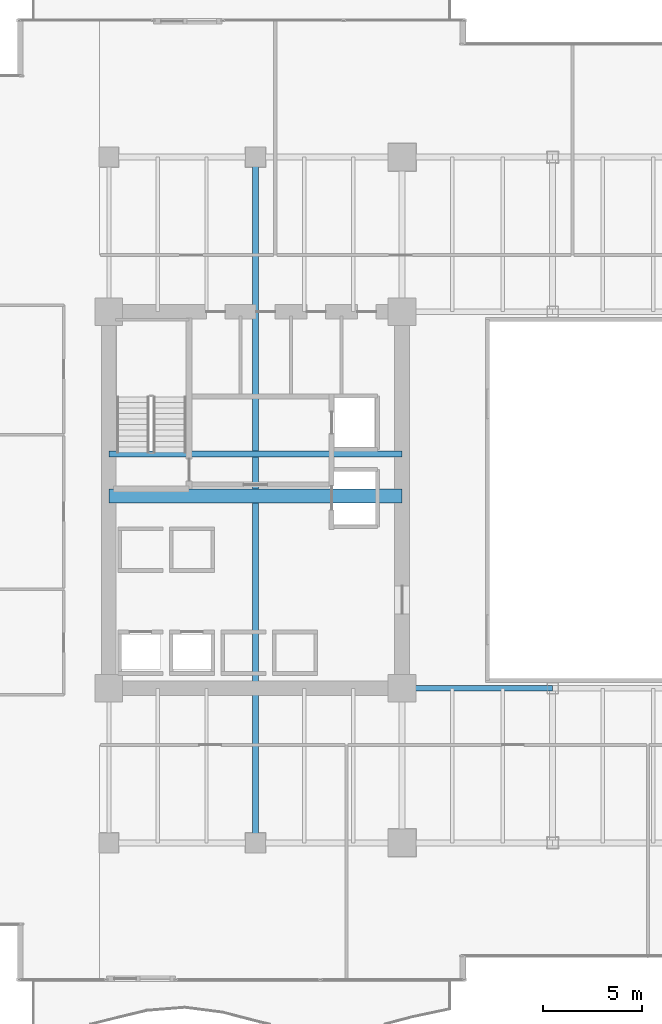
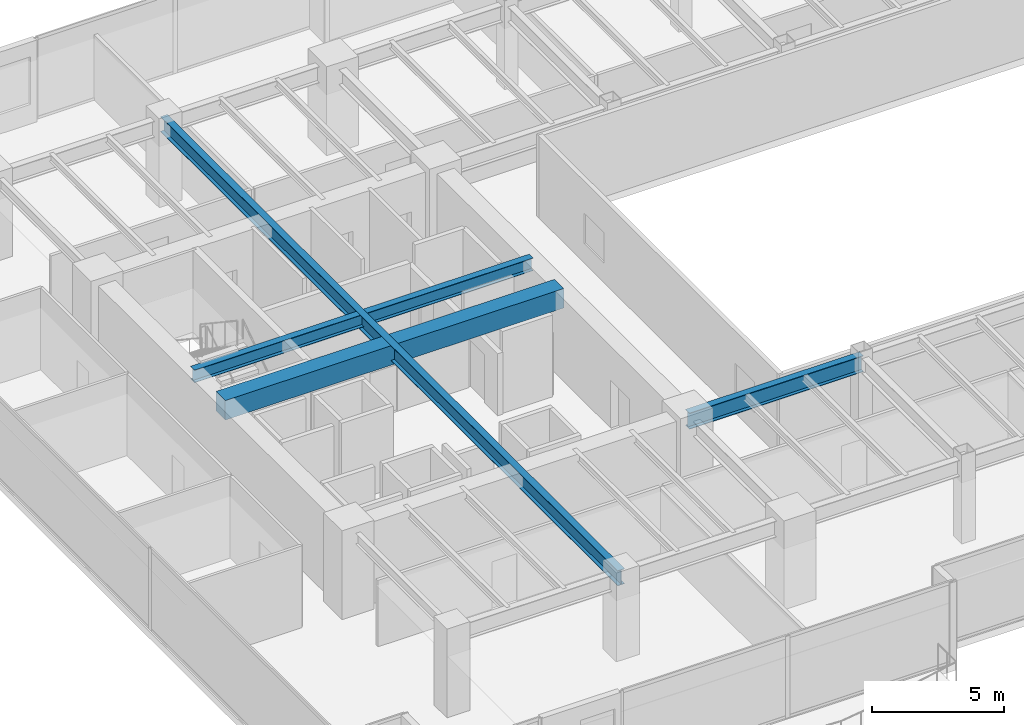
# One storey, part 7 of 32: 4 beams.
"""IFC4 building model written with IfcOpenShell, lengths in metres."""

import ifcopenshell
import ifcopenshell.guid

model = None  # the IFC model being written
_history = None  # IfcOwnerHistory: only IFC2X3 demands one
_inside = {}  # id of a spatial element -> (the spatial element, [elements in it])
_under = {}  # id of a project, library or spatial element -> (it, [spatial elements below it])
_declared = {}  # id of a project -> (the project, [libraries it declares])
_typed = {}  # id of a type object -> (the type object, [elements of that type])
_made_of = {}  # id of a material, layer set ... -> (it, [elements and type objects made of it])


def new_model(schema):
    """Start an empty IFC model of exactly this schema.

    Asked for "IFC4X3", IfcOpenShell would pick the latest addendum, in which some entities
    have other attributes; the version numbers below select the first issue.
    IFC2X3 requires an IfcOwnerHistory on every rooted entity: one is made here for all.
    """
    global model, _history
    if schema == "IFC4X3":
        model = ifcopenshell.file(schema_version=(4, 3, 0, 0))
    else:
        model = ifcopenshell.file(schema=schema)
    _inside.clear()
    _under.clear()
    _declared.clear()
    _typed.clear()
    _made_of.clear()
    _history = None
    if model.schema == "IFC2X3":
        org = make("IfcOrganization", Name="unknown")
        user = make(
            "IfcPersonAndOrganization",
            ThePerson=make("IfcPerson", FamilyName="unknown"),
            TheOrganization=org,
        )
        app = make(
            "IfcApplication",
            ApplicationDeveloper=org,
            Version="unknown",
            ApplicationFullName="unknown",
            ApplicationIdentifier="unknown",
        )
        _history = make(
            "IfcOwnerHistory",
            OwningUser=user,
            OwningApplication=app,
            ChangeAction="ADDED",
            CreationDate=0,
        )
    return model


def make(cls, **values):
    """One entity of the class cls with the attributes given. An attribute that is None is left unset."""
    return model.create_entity(
        cls, **{name: value for name, value in values.items() if value is not None}
    )


def rooted(cls, **values):
    """An entity with a GlobalId (a new one), such as an element, a storey or a relation."""
    return make(cls, GlobalId=ifcopenshell.guid.new(), OwnerHistory=_history, **values)


def si_unit(unit_type, name, prefix=None):
    """IfcSIUnit, for example si_unit("LENGTHUNIT", "METRE", prefix="MILLI")."""
    return make("IfcSIUnit", UnitType=unit_type, Prefix=prefix, Name=name)


def assignment(units):
    """IfcUnitAssignment: the units of a project."""
    return None if units is None else make("IfcUnitAssignment", Units=units)


def point(xyz):
    """IfcCartesianPoint."""
    return None if xyz is None else make("IfcCartesianPoint", Coordinates=xyz)


def direction(xyz):
    """IfcDirection."""
    return None if xyz is None else make("IfcDirection", DirectionRatios=xyz)


def frame(location, z_axis=None, x_axis=None):
    """IfcAxis2Placement3D, a coordinate frame: its origin and axes. An axis left out is left unset."""
    return make(
        "IfcAxis2Placement3D",
        Location=point(location),
        Axis=direction(z_axis),
        RefDirection=direction(x_axis),
    )


def frame_2d(location, x_axis=None):
    """IfcAxis2Placement2D, a coordinate frame in the plane: its origin and x axis."""
    return make(
        "IfcAxis2Placement2D", Location=point(location), RefDirection=direction(x_axis)
    )


def origin():
    """The frame at (0, 0, 0) with its axes left unset."""
    return frame((0.0, 0.0, 0.0))


def origin_2d():
    """The frame at (0, 0) in the plane with its x axis left unset."""
    return frame_2d((0.0, 0.0))


def place(relative_to, where):
    """IfcLocalPlacement: puts the frame where relative to a parent placement (None: the world)."""
    return make(
        "IfcLocalPlacement", PlacementRelTo=relative_to, RelativePlacement=where
    )


def context(
    kind, dimensions, precision=None, world=None, true_north=None, identifier=None
):
    """IfcGeometricRepresentationContext, for example the 3D "Model" context."""
    return make(
        "IfcGeometricRepresentationContext",
        ContextIdentifier=identifier,
        ContextType=kind,
        CoordinateSpaceDimension=dimensions,
        Precision=precision,
        WorldCoordinateSystem=world,
        TrueNorth=true_north,
    )


def subcontext(parent, identifier, kind, view, scale=None):
    """IfcGeometricRepresentationSubContext, for example "Body" below "Model"."""
    return make(
        "IfcGeometricRepresentationSubContext",
        ContextIdentifier=identifier,
        ContextType=kind,
        ParentContext=parent,
        TargetScale=scale,
        TargetView=view,
    )


def project(units=None, contexts=None):
    """IfcProject with its units and contexts."""
    return rooted(
        "IfcProject",
        Name="project",
        RepresentationContexts=contexts,
        UnitsInContext=assignment(units),
    )


def spatial(cls, under=None, at=None, **own):
    """A site, building, storey or space (cls), placed at a placement, below another one or the project."""
    s = rooted(cls, ObjectPlacement=at, **own)
    if under is not None:
        _under.setdefault(under.id(), (under, []))[1].append(s)
    return s


def profile(cls, at=None, kind="AREA", **sizes):
    """A parametric profile (cls). Its sizes go by their IFC names, for example OverallWidth=200.0."""
    return make(cls, ProfileType=kind, Position=at, **sizes)


def rectangle(**sizes):
    """IfcRectangleProfileDef."""
    return profile("IfcRectangleProfileDef", **sizes)


def i_section(**sizes):
    """IfcIShapeProfileDef."""
    return profile("IfcIShapeProfileDef", **sizes)


def extrude(swept, where, along, depth):
    """IfcExtrudedAreaSolid: the profile swept, set in the frame where, extruded along a direction by depth."""
    return make(
        "IfcExtrudedAreaSolid",
        SweptArea=swept,
        Position=where,
        ExtrudedDirection=direction(along),
        Depth=depth,
    )


def shape(context_of_items, identifier, shape_type, items):
    """IfcShapeRepresentation: the items that make up one representation, for example the "Body"."""
    return make(
        "IfcShapeRepresentation",
        ContextOfItems=context_of_items,
        RepresentationIdentifier=identifier,
        RepresentationType=shape_type,
        Items=items,
    )


def source(mapping_origin, context_of_items, identifier, shape_type, items):
    """IfcRepresentationMap: a shape defined once, which mapped items show again and again."""
    return make(
        "IfcRepresentationMap",
        MappingOrigin=mapping_origin,
        MappedRepresentation=shape(context_of_items, identifier, shape_type, items),
    )


def transform(
    local_origin,
    x_axis=None,
    y_axis=None,
    z_axis=None,
    scale=None,
    scale2=None,
    scale3=None,
    uniform=True,
):
    """IfcCartesianTransformationOperator3D, or its non-uniform kind. x_axis, y_axis, z_axis: its Axis1, 2, 3."""
    if uniform:
        return make(
            "IfcCartesianTransformationOperator3D",
            Axis1=direction(x_axis),
            Axis2=direction(y_axis),
            LocalOrigin=point(local_origin),
            Scale=scale,
            Axis3=direction(z_axis),
        )
    return make(
        "IfcCartesianTransformationOperator3DnonUniform",
        Axis1=direction(x_axis),
        Axis2=direction(y_axis),
        LocalOrigin=point(local_origin),
        Scale=scale,
        Axis3=direction(z_axis),
        Scale2=scale2,
        Scale3=scale3,
    )


def mapped(mapping_source, mapping_target):
    """IfcMappedItem: shows the shape of a source again, moved by a transform."""
    return make(
        "IfcMappedItem", MappingSource=mapping_source, MappingTarget=mapping_target
    )


def material(Name=None, Category=None):
    """IfcMaterial."""
    return make("IfcMaterial", Name=Name, Category=Category)


def material_profile(
    of_material, cross_section, Name=None, Category=None, Priority=None
):
    """IfcMaterialProfile: a cross section and its material."""
    return make(
        "IfcMaterialProfile",
        Name=Name,
        Material=of_material,
        Profile=cross_section,
        Priority=Priority,
        Category=Category,
    )


def profile_set(profiles, Name=None, composite=None):
    """IfcMaterialProfileSet."""
    return make(
        "IfcMaterialProfileSet",
        Name=Name,
        MaterialProfiles=profiles,
        CompositeProfile=composite,
    )


def made_of(thing, what):
    """Note that an element or type object is made of a material, layer set ...; save() writes the relation."""
    if what is not None:
        _made_of.setdefault(what.id(), (what, []))[1].append(thing)
    return thing


def type_object(cls, material=None, **own):
    """A type object (cls), such as IfcWallType, which elements share."""
    return made_of(rooted(cls, **own), material)


def type_shapes(of_type, sources):
    """Give a type object the sources (RepresentationMaps) that its elements show as mapped items."""
    of_type.RepresentationMaps = sources


def element(
    cls,
    number,
    at=None,
    inside=None,
    cuts=None,
    type_object=None,
    material=None,
    context=None,
    identifier="Body",
    shape_type=None,
    held_by="IfcProductDefinitionShape",
    body=None,
    shapes=None,
    **own,
):
    """One element of the class cls, such as IfcWall. Its Tag is "e" and its number.

    at: its placement. inside: the storey or other place that contains it. cuts: it is an
    opening in that element (IfcRelVoidsElement). A single representation is given by context,
    identifier, shape_type and body (its items); several are given by shapes. held_by: the class
    of the entity that holds the representations. save() writes the other relations.
    """
    e = rooted(cls, Tag="e%d" % number, ObjectPlacement=at, **own)
    if body is not None:
        shapes = [shape(context, identifier, shape_type, body)]
    if shapes is not None:
        e.Representation = make(held_by, Representations=shapes)
    if inside is not None:
        _inside.setdefault(inside.id(), (inside, []))[1].append(e)
    if cuts is not None:
        rooted(
            "IfcRelVoidsElement", RelatingBuildingElement=cuts, RelatedOpeningElement=e
        )
    if type_object is not None:
        _typed.setdefault(type_object.id(), (type_object, []))[1].append(e)
    return made_of(e, material)


def aggregate(whole, parts):
    """IfcRelAggregates: a whole, such as a stair, and the parts it consists of."""
    return rooted("IfcRelAggregates", RelatingObject=whole, RelatedObjects=parts)


def save(model, path):
    """Write the relations noted so far, then the file.

    IfcRelAggregates (storeys below a building ...), IfcRelContainedInSpatialStructure (elements
    in a storey), IfcRelDefinesByType, IfcRelAssociatesMaterial and IfcRelDeclares: one each for
    every whole, place, type object, material and project.
    """
    for whole, parts in _under.values():
        aggregate(whole, parts)
    for where, things in _inside.values():
        rooted(
            "IfcRelContainedInSpatialStructure",
            RelatedElements=things,
            RelatingStructure=where,
        )
    for kind, things in _typed.values():
        rooted("IfcRelDefinesByType", RelatedObjects=things, RelatingType=kind)
    for what, things in _made_of.values():
        rooted("IfcRelAssociatesMaterial", RelatedObjects=things, RelatingMaterial=what)
    for by, libraries in _declared.values():
        rooted("IfcRelDeclares", RelatingContext=by, RelatedDefinitions=libraries)
    model.write(path)


model = new_model("IFC4")

# Units and contexts
model_context = context("Model", 3, precision=1e-05, world=origin(), true_north=direction((0.0, 1.0)))
body_context = subcontext(model_context, "Body", "Model", "MODEL_VIEW")
ifc_project = project(units=[si_unit("LENGTHUNIT", "METRE"), si_unit("AREAUNIT", "SQUARE_METRE"), si_unit("VOLUMEUNIT", "CUBIC_METRE"), si_unit("PLANEANGLEUNIT", "RADIAN"), si_unit("MASSUNIT", "GRAM", prefix="KILO")], contexts=[model_context])

# Site, building, storey
site_placement = place(None, origin())
site = spatial("IfcSite", under=ifc_project, at=site_placement, CompositionType="ELEMENT")
building_placement = place(site_placement, origin())
building = spatial("IfcBuilding", under=site, at=building_placement, Name="Haelvirn Gate Laboratories", CompositionType="ELEMENT")
storey_placement = place(building_placement, frame((0.0, 0.0, 33.39990234375)))
storey = spatial("IfcBuildingStorey", under=building, at=storey_placement, Name="L08", CompositionType="ELEMENT", Elevation=33.39990234375)

# Beams
ifc_material_1 = material(Name="Concrete C60/75", Category="concrete")
ifc_material_profile_1 = material_profile(ifc_material_1, rectangle(XDim=0.699951171875, YDim=0.89990234375, at=origin_2d()), Name="RCB-700x900")
ifc_profile_set_1 = profile_set([ifc_material_profile_1], Name="Concrete C60/75")
beam_type_1 = type_object("IfcBeamType", Name="BM-RCB-900", PredefinedType="LINTEL", material=ifc_profile_set_1)
shared_shape_1 = source(origin(), body_context, "Body", "SweptSolid", [
    extrude(rectangle(XDim=0.699951171875, YDim=0.89990234375, at=origin_2d()), origin(), (0.0, 0.0, 1.0), 14.800048828125),
])
type_shapes(beam_type_1, [shared_shape_1])
beam_1_placement = place(storey_placement, frame((7.39990234375, 24.5, 3.330078125), z_axis=(1.0, 0.0, 0.0), x_axis=(0.0, 1.0, 0.0)))
element("IfcBeam", 1, at=beam_1_placement, inside=storey, type_object=beam_type_1, Name="L08 West Core Coupling Beam", PredefinedType="LINTEL", context=body_context, shape_type="MappedRepresentation", body=[
    mapped(shared_shape_1, transform((0.0, 0.0, 0.0), scale=1.0)),
])
ifc_material_2 = material(Name="Steel SM355", Category="steel")
ifc_material_profile_2 = material_profile(ifc_material_2, i_section(OverallWidth=0.300048828125, OverallDepth=0.587890625, WebThickness=0.011962890625, FlangeThickness=0.02001953125, at=origin_2d()), Name="H-588x300x12x20")
ifc_profile_set_2 = profile_set([ifc_material_profile_2], Name="Steel SM355")
beam_type_2 = type_object("IfcBeamType", Name="BM-G-588", PredefinedType="BEAM", material=ifc_profile_set_2)
shared_shape_2 = source(origin(), body_context, "Body", "SweptSolid", [
    extrude(i_section(OverallWidth=0.300048828125, OverallDepth=0.587890625, WebThickness=0.011962890625, FlangeThickness=0.02001953125, at=origin_2d()), origin(), (0.0, 0.0, 1.0), 14.800048828125),
])
type_shapes(beam_type_2, [shared_shape_2])
beam_2_placement = place(storey_placement, frame((7.39990234375, 26.6201171875, 3.486083984375), z_axis=(1.0, 0.0, 0.0), x_axis=(0.0, 1.0, 0.0)))
element("IfcBeam", 2, at=beam_2_placement, inside=storey, type_object=beam_type_2, Name="L08 Stair ST1 Landing Header", PredefinedType="BEAM", context=body_context, shape_type="MappedRepresentation", body=[
    mapped(shared_shape_2, transform((0.0, 0.0, 0.0), scale=1.0)),
])
ifc_material_profile_3 = material_profile(ifc_material_2, i_section(OverallWidth=0.300048828125, OverallDepth=0.699951171875, WebThickness=0.012939453125, FlangeThickness=0.02392578125, at=origin_2d()), Name="H-700x300x13x24")
ifc_profile_set_3 = profile_set([ifc_material_profile_3], Name="Steel SM355")
beam_type_3 = type_object("IfcBeamType", Name="BM-G-700", PredefinedType="BEAM", material=ifc_profile_set_3)
shared_shape_3 = source(origin(), body_context, "Body", "SweptSolid", [
    extrude(i_section(OverallWidth=0.300048828125, OverallDepth=0.699951171875, WebThickness=0.012939453125, FlangeThickness=0.02392578125, at=origin_2d()), origin(), (0.0, 0.0, 1.0), 34.60009765625),
])
type_shapes(beam_type_3, [shared_shape_3])
beam_3_placement = place(storey_placement, frame((14.800048828125, 7.0, 3.43017578125), z_axis=(0.0, 1.0, 0.0), x_axis=(-1.0, 0.0, 0.0)))
element("IfcBeam", 3, at=beam_3_placement, inside=storey, type_object=beam_type_3, Name="L08 Frame Girder X14.8 (7.0-41.6)", PredefinedType="BEAM", context=body_context, shape_type="MappedRepresentation", body=[
    mapped(shared_shape_3, transform((0.0, 0.0, 0.0), scale=1.0)),
])
ifc_material_profile_4 = material_profile(ifc_material_2, i_section(OverallWidth=0.300048828125, OverallDepth=0.75, WebThickness=0.013916015625, FlangeThickness=0.02392578125, at=origin_2d()), Name="H-750x300x14x24")
ifc_profile_set_4 = profile_set([ifc_material_profile_4], Name="Steel SM355")
beam_type_4 = type_object("IfcBeamType", Name="BM-G-750", PredefinedType="BEAM", material=ifc_profile_set_4)
shared_shape_4 = source(origin(), body_context, "Body", "SweptSolid", [
    extrude(i_section(OverallWidth=0.300048828125, OverallDepth=0.75, WebThickness=0.013916015625, FlangeThickness=0.02392578125, at=origin_2d()), origin(), (0.0, 0.0, 1.0), 7.60009765625),
])
type_shapes(beam_type_4, [shared_shape_4])
beam_4_placement = place(storey_placement, frame((22.199951171875, 14.800048828125, 3.405029296875), z_axis=(1.0, 0.0, 0.0), x_axis=(0.0, 1.0, 0.0)))
element("IfcBeam", 4, at=beam_4_placement, inside=storey, type_object=beam_type_4, Name="L08 Primary Girder Y14.8 (22.2-29.8)", PredefinedType="BEAM", context=body_context, shape_type="MappedRepresentation", body=[
    mapped(shared_shape_4, transform((0.0, 0.0, 0.0), scale=1.0)),
])

save(model, "model.ifc")
